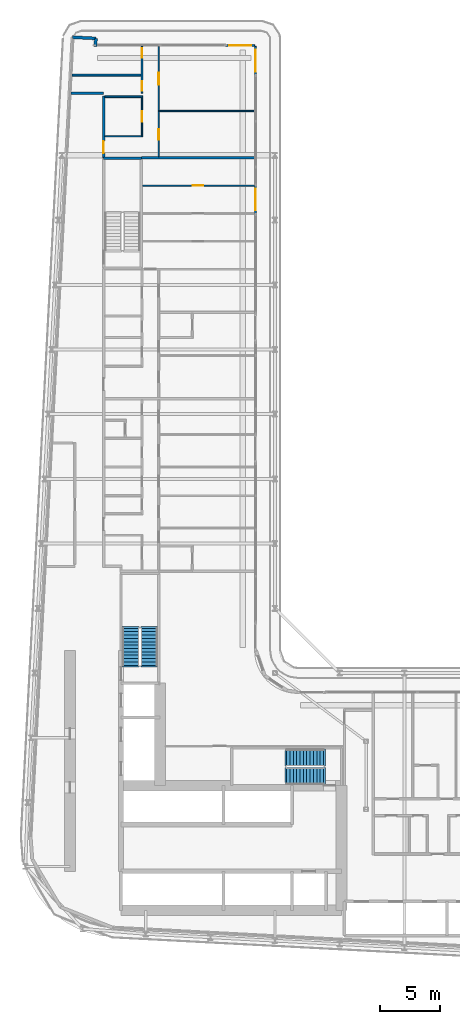
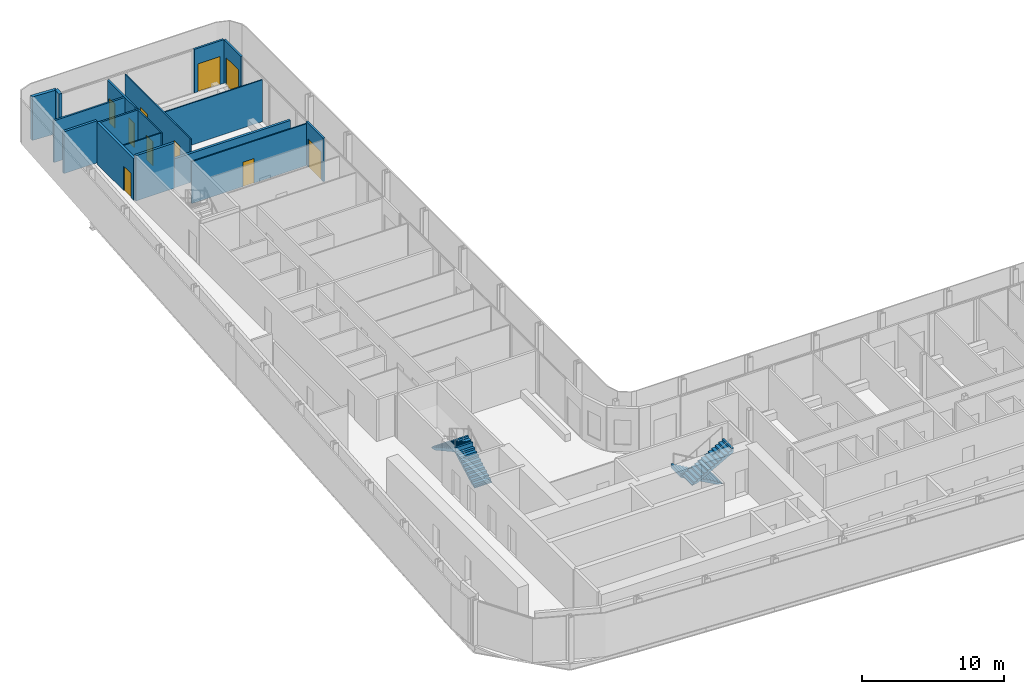
# One storey, part 21 of 29: 17 walls, 10 doors, 4 stair flights, 10 openings, 2 elements without a shape of their own.
"""IFC4 building model written with IfcOpenShell, lengths in metres."""

from ifc_helpers import new_model, si_unit, direction, frame, frame_2d, origin, place, context, subcontext, project, spatial, polyline, rectangle, outline, extrude, source, transform, mapped, material, layer, layer_set, type_object, element, fill, aggregate, save


model = new_model("IFC4")

# Units and contexts
model_context = context("Model", 3, precision=1e-05, world=origin(), true_north=direction((0.0, 1.0)))
body_context = subcontext(model_context, "Body", "Model", "MODEL_VIEW")
ifc_project = project(units=[si_unit("LENGTHUNIT", "METRE"), si_unit("AREAUNIT", "SQUARE_METRE"), si_unit("VOLUMEUNIT", "CUBIC_METRE"), si_unit("PLANEANGLEUNIT", "RADIAN"), si_unit("MASSUNIT", "GRAM", prefix="KILO")], contexts=[model_context])

# Site, building, storey
site_placement = place(None, origin())
site = spatial("IfcSite", under=ifc_project, at=site_placement, CompositionType="ELEMENT")
building_placement = place(site_placement, origin())
building = spatial("IfcBuilding", under=site, at=building_placement, Name="Kheshtan School and Residences Tower", CompositionType="ELEMENT")
storey_placement = place(building_placement, frame((0.0, 0.0, 121.39990234375)))
storey = spatial("IfcBuildingStorey", under=building, at=storey_placement, Name="L28", CompositionType="ELEMENT", Elevation=121.39990234375)

# Wall
ifc_material_1 = material(Name="Gypsum board on steel studs with fire boards", Category="steel")
ifc_layer_1 = layer(ifc_material_1, 0.199951171875)
ifc_layer_set_1 = layer_set([ifc_layer_1], Name="Corridor wall 200")
wall_type_1 = type_object("IfcWallType", Name="Corridor wall 200", PredefinedType="PARTITIONING", material=ifc_layer_set_1)
wall_1_placement = place(storey_placement, frame((30.584716796875, 94.0, 0.0), z_axis=(0.0, 0.0, 1.0), x_axis=(1.0, 0.0, 0.0)))
element("IfcWall", 1, at=wall_1_placement, inside=storey, type_object=wall_type_1, Name="Partition L28-002", PredefinedType="PARTITIONING", context=body_context, shape_type="SweptSolid", body=[
    extrude(rectangle(XDim=2.71533203125, YDim=0.199951171875, at=frame_2d((1.357666015625, 0.0))), origin(), (0.0, 0.0, 1.0), 3.60009765625),
])

# Wall, opening, door
wall_2_placement = place(storey_placement, frame((33.300048828125, 88.60009765625, 0.0), z_axis=(0.0, 0.0, 1.0), x_axis=(0.0, 1.0, 0.0)))
wall_2 = element("IfcWall", 2, at=wall_2_placement, inside=storey, type_object=wall_type_1, Name="Partition L28-004", PredefinedType="PARTITIONING", context=body_context, shape_type="SweptSolid", body=[
    extrude(rectangle(XDim=5.1748046875, YDim=0.199951171875, at=frame_2d((2.58740234375, 0.0))), origin(), (0.0, 0.0, 1.0), 3.60009765625),
])
opening_1_placement = place(wall_2_placement, frame((0.39990234375, 0.0, 0.0)))
opening_1 = element("IfcOpeningElement", 3, at=opening_1_placement, cuts=wall_2, Name="Opening D27-062", PredefinedType="OPENING", context=body_context, shape_type="SweptSolid", body=[
    extrude(rectangle(XDim=1.0, YDim=2.10009765625, at=frame_2d((0.5, 1.050048828125))), frame((0.0, 0.10986328125, 0.0), z_axis=(0.0, -1.0, 0.0), x_axis=(1.0, 0.0, 0.0)), (0.0, 0.0, 1.0), 0.219970703125),
])
ifc_material_2 = material(Name="Steel-framed fire-resisting door leaf", Category="steel")
door_type_1 = type_object("IfcDoorType", Name="Fire door FD30S 1000 x 2100", OperationType="SINGLE_SWING_LEFT", PredefinedType="DOOR", material=ifc_material_2)
shared_shape_1 = source(origin(), body_context, "Body", "SweptSolid", [
    extrude(rectangle(XDim=1.0, YDim=2.10009765625, at=frame_2d((0.5, 1.050048828125))), frame((0.0, 0.02490234375, 0.0), z_axis=(0.0, -1.0, 0.0), x_axis=(1.0, 0.0, 0.0)), (0.0, 0.0, 1.0), 0.050048828125),
])
door_1_placement = place(opening_1_placement, origin())
door_1 = element("IfcDoor", 4, at=door_1_placement, inside=storey, type_object=door_type_1, Name="Door D27-062", OperationType="SINGLE_SWING_LEFT", OverallHeight=2.10009765625, OverallWidth=1.0, PredefinedType="DOOR", context=body_context, shape_type="MappedRepresentation", body=[
    mapped(shared_shape_1, transform((0.0, 0.0, 0.0), x_axis=(1.0, 0.0, 0.0), y_axis=(0.0, 1.0, 0.0), z_axis=(0.0, 0.0, 1.0), scale=1.0)),
])
fill(opening_1, door_1)

# Walls
ifc_material_3 = material(Name="Concrete C40/50 with ceramic cladding and mineral wool insulation", Category="concrete")
ifc_layer_2 = layer(ifc_material_3, 0.25)
ifc_layer_set_2 = layer_set([ifc_layer_2], Name="External wall 250 ceramic clad")
wall_type_2 = type_object("IfcWallType", Name="External wall 250 ceramic clad", PredefinedType="SOLIDWALL", material=ifc_layer_set_2)
wall_3_placement = place(storey_placement, frame((30.705078125, 98.6640625, 0.0), z_axis=(0.0, 0.0, 1.0), x_axis=(0.998577785791, -0.053314216913, 0.0)))
element("IfcWall", 5, at=wall_3_placement, inside=storey, type_object=wall_type_2, Name="External wall L28 5", PredefinedType="SOLIDWALL", context=body_context, shape_type="SweptSolid", body=[
    extrude(rectangle(XDim=1.95068359375, YDim=0.25, at=frame_2d((0.975341796875, 0.0))), origin(), (0.0, 0.0, 1.0), 3.75),
])
wall_4_placement = place(storey_placement, frame((32.653076171875, 98.56005859375, 0.0), z_axis=(0.0, 0.0, 1.0), x_axis=(-0.054093451632, -0.998535877418, 0.0)))
element("IfcWall", 6, at=wall_4_placement, inside=storey, type_object=wall_type_2, Name="External wall L28 6", PredefinedType="SOLIDWALL", context=body_context, shape_type="SweptSolid", body=[
    extrude(rectangle(XDim=0.66796875, YDim=0.25, at=frame_2d((0.333984375, 0.0))), origin(), (0.0, 0.0, 1.0), 3.75),
])

# Wall, opening, door
ifc_material_4 = material(Name="Aluminium frame wall with insulated infill", Category="aluminium")
ifc_layer_3 = layer(ifc_material_4, 0.14990234375)
ifc_layer_set_3 = layer_set([ifc_layer_3], Name="Glazing frame wall 150")
wall_type_3 = type_object("IfcWallType", Name="Glazing frame wall 150", PredefinedType="SOLIDWALL", material=ifc_layer_set_3)
wall_5_placement = place(storey_placement, frame((43.5, 97.97509765625, 0.0), z_axis=(0.0, 0.0, 1.0), x_axis=(1.0, 0.0, 0.0)))
wall_5 = element("IfcWall", 7, at=wall_5_placement, inside=storey, type_object=wall_type_3, Name="Balcony door wall L28 7.1", PredefinedType="SOLIDWALL", context=body_context, shape_type="SweptSolid", body=[
    extrude(rectangle(XDim=2.39990234375, YDim=0.14990234375, at=frame_2d((1.199951171875, 0.0))), origin(), (0.0, 0.0, 1.0), 3.75),
])
opening_2_placement = place(wall_5_placement, frame((0.300048828125, 0.0, 0.0)))
opening_2 = element("IfcOpeningElement", 8, at=opening_2_placement, cuts=wall_5, Name="Opening BD", PredefinedType="OPENING", context=body_context, shape_type="SweptSolid", body=[
    extrude(rectangle(XDim=1.800048828125, YDim=2.39990234375, at=frame_2d((0.89990234375, 1.199951171875))), frame((0.0, 0.0849609375, 0.0), z_axis=(0.0, -1.0, 0.0), x_axis=(1.0, 0.0, 0.0)), (0.0, 0.0, 1.0), 0.169921875),
])
ifc_material_5 = material(Name="Clear low-e glass in thermally broken aluminium frame", Category="aluminium")
door_type_2 = type_object("IfcDoorType", Name="Balcony sliding door", OperationType="SLIDING_TO_LEFT", PredefinedType="DOOR", material=ifc_material_5)
shared_shape_2 = source(origin(), body_context, "Body", "SweptSolid", [
    extrude(rectangle(XDim=1.800048828125, YDim=2.39990234375, at=frame_2d((0.89990234375, 1.199951171875))), frame((0.0, 0.02490234375, 0.0), z_axis=(0.0, -1.0, 0.0), x_axis=(1.0, 0.0, 0.0)), (0.0, 0.0, 1.0), 0.050048828125),
])
door_2_placement = place(opening_2_placement, origin())
door_2 = element("IfcDoor", 9, at=door_2_placement, inside=storey, type_object=door_type_2, Name="Balcony door L28 7.1", OperationType="SLIDING_TO_LEFT", OverallHeight=2.39990234375, OverallWidth=1.800048828125, PredefinedType="DOOR", context=body_context, shape_type="MappedRepresentation", body=[
    mapped(shared_shape_2, transform((0.0, 0.0, 0.0), x_axis=(1.0, 0.0, 0.0), y_axis=(0.0, 1.0, 0.0), z_axis=(0.0, 0.0, 1.0), scale=1.0)),
])
fill(opening_2, door_2)

wall_6_placement = place(storey_placement, frame((45.97509765625, 97.89990234375, 0.0), z_axis=(0.0, 0.0, 1.0), x_axis=(0.0, -1.0, 0.0)))
wall_6 = element("IfcWall", 10, at=wall_6_placement, inside=storey, type_object=wall_type_3, Name="Balcony door wall L28 8.1", PredefinedType="SOLIDWALL", context=body_context, shape_type="SweptSolid", body=[
    extrude(rectangle(XDim=2.39990234375, YDim=0.14990234375, at=frame_2d((1.199951171875, 0.0))), origin(), (0.0, 0.0, 1.0), 3.75),
])
opening_3_placement = place(wall_6_placement, frame((0.300048828125, 0.0, 0.0)))
opening_3 = element("IfcOpeningElement", 11, at=opening_3_placement, cuts=wall_6, Name="Opening BD", PredefinedType="OPENING", context=body_context, shape_type="SweptSolid", body=[
    extrude(rectangle(XDim=1.800048828125, YDim=2.39990234375, at=frame_2d((0.89990234375, 1.199951171875))), frame((0.0, 0.0849609375, 0.0), z_axis=(0.0, -1.0, 0.0), x_axis=(1.0, 0.0, 0.0)), (0.0, 0.0, 1.0), 0.169921875),
])
door_3_placement = place(opening_3_placement, origin())
door_3 = element("IfcDoor", 12, at=door_3_placement, inside=storey, type_object=door_type_2, Name="Balcony door L28 8.1", OperationType="SLIDING_TO_LEFT", OverallHeight=2.39990234375, OverallWidth=1.800048828125, PredefinedType="DOOR", context=body_context, shape_type="MappedRepresentation", body=[
    mapped(shared_shape_2, transform((0.0, 0.0, 0.0), x_axis=(1.0, 0.0, 0.0), y_axis=(0.0, 1.0, 0.0), z_axis=(0.0, 0.0, 1.0), scale=1.0)),
])
fill(opening_3, door_3)

wall_7_placement = place(storey_placement, frame((45.97509765625, 86.305908203125, 0.0), z_axis=(0.0, 0.0, 1.0), x_axis=(0.0, -1.0, 0.0)))
wall_7 = element("IfcWall", 13, at=wall_7_placement, inside=storey, type_object=wall_type_3, Name="Balcony door wall L28 8.2", PredefinedType="SOLIDWALL", context=body_context, shape_type="SweptSolid", body=[
    extrude(rectangle(XDim=2.39990234375, YDim=0.14990234375, at=frame_2d((1.199951171875, 0.0))), origin(), (0.0, 0.0, 1.0), 3.75),
])
opening_4_placement = place(wall_7_placement, frame((0.300048828125, 0.0, 0.0)))
opening_4 = element("IfcOpeningElement", 14, at=opening_4_placement, cuts=wall_7, Name="Opening BD", PredefinedType="OPENING", context=body_context, shape_type="SweptSolid", body=[
    extrude(rectangle(XDim=1.800048828125, YDim=2.39990234375, at=frame_2d((0.89990234375, 1.199951171875))), frame((0.0, 0.0849609375, 0.0), z_axis=(0.0, -1.0, 0.0), x_axis=(1.0, 0.0, 0.0)), (0.0, 0.0, 1.0), 0.169921875),
])
door_4_placement = place(opening_4_placement, origin())
door_4 = element("IfcDoor", 15, at=door_4_placement, inside=storey, type_object=door_type_2, Name="Balcony door L28 8.2", OperationType="SLIDING_TO_LEFT", OverallHeight=2.39990234375, OverallWidth=1.800048828125, PredefinedType="DOOR", context=body_context, shape_type="MappedRepresentation", body=[
    mapped(shared_shape_2, transform((0.0, 0.0, 0.0), x_axis=(1.0, 0.0, 0.0), y_axis=(0.0, 1.0, 0.0), z_axis=(0.0, 0.0, 1.0), scale=1.0)),
])
fill(opening_4, door_4)

# Wall
ifc_material_6 = material(Name="Gypsum board on steel studs", Category="steel")
ifc_layer_4 = layer(ifc_material_6, 0.10009765625)
ifc_layer_set_4 = layer_set([ifc_layer_4], Name="Gypsum partition 100")
wall_type_4 = type_object("IfcWallType", Name="Gypsum partition 100", PredefinedType="PARTITIONING", material=ifc_layer_set_4)
wall_8_placement = place(storey_placement, frame((33.39990234375, 90.39990234375, 0.0), z_axis=(0.0, 0.0, 1.0), x_axis=(1.0, 0.0, 0.0)))
element("IfcWall", 16, at=wall_8_placement, inside=storey, type_object=wall_type_4, Name="Partition L28-017", PredefinedType="PARTITIONING", context=body_context, shape_type="SweptSolid", body=[
    extrude(rectangle(XDim=3.050048828125, YDim=0.10009765625, at=frame_2d((1.52490234375, 0.0))), origin(), (0.0, 0.0, 1.0), 3.60009765625),
])

# Wall, opening, door
wall_9_placement = place(storey_placement, frame((36.5, 90.35009765625, 0.0), z_axis=(0.0, 0.0, 1.0), x_axis=(0.0, 1.0, 0.0)))
wall_9 = element("IfcWall", 17, at=wall_9_placement, inside=storey, type_object=wall_type_4, Name="Partition L28-026", PredefinedType="PARTITIONING", context=body_context, shape_type="SweptSolid", body=[
    extrude(rectangle(XDim=3.27490234375, YDim=0.10009765625, at=frame_2d((1.637451171875, 0.0))), origin(), (0.0, 0.0, 1.0), 3.60009765625),
])
opening_5_placement = place(wall_9_placement, frame((1.25, 0.0, 0.0)))
opening_5 = element("IfcOpeningElement", 18, at=opening_5_placement, cuts=wall_9, Name="Opening D27-063", PredefinedType="OPENING", context=body_context, shape_type="SweptSolid", body=[
    extrude(rectangle(XDim=0.89990234375, YDim=2.10009765625, at=frame_2d((0.449951171875, 1.050048828125))), frame((0.0, 0.06005859375, 0.0), z_axis=(0.0, -1.0, 0.0), x_axis=(1.0, 0.0, 0.0)), (0.0, 0.0, 1.0), 0.1201171875),
])
ifc_material_7 = material(Name="Veneered timber door leaf", Category="wood")
door_type_3 = type_object("IfcDoorType", Name="Door 900 x 2100", OperationType="SINGLE_SWING_LEFT", PredefinedType="DOOR", material=ifc_material_7)
shared_shape_3 = source(origin(), body_context, "Body", "SweptSolid", [
    extrude(rectangle(XDim=0.89990234375, YDim=2.10009765625, at=frame_2d((0.449951171875, 1.050048828125))), frame((0.0, 0.02490234375, 0.0), z_axis=(0.0, -1.0, 0.0), x_axis=(1.0, 0.0, 0.0)), (0.0, 0.0, 1.0), 0.050048828125),
])
door_5_placement = place(opening_5_placement, origin())
door_5 = element("IfcDoor", 19, at=door_5_placement, inside=storey, type_object=door_type_3, Name="Door D27-063", OperationType="SINGLE_SWING_RIGHT", OverallHeight=2.10009765625, OverallWidth=0.89990234375, PredefinedType="DOOR", context=body_context, shape_type="MappedRepresentation", body=[
    mapped(shared_shape_3, transform((0.0, 0.0, 0.0), x_axis=(1.0, 0.0, 0.0), y_axis=(0.0, 1.0, 0.0), z_axis=(0.0, 0.0, 1.0), scale=1.0)),
])
fill(opening_5, door_5)

wall_10_placement = place(storey_placement, frame((36.549072265625, 86.27490234375, 0.0), z_axis=(0.0, 0.0, 1.0), x_axis=(1.0, 0.0, 0.0)))
wall_10 = element("IfcWall", 20, at=wall_10_placement, inside=storey, type_object=wall_type_4, Name="Partition L28-030", PredefinedType="PARTITIONING", context=body_context, shape_type="SweptSolid", body=[
    extrude(rectangle(XDim=9.350830078125, YDim=0.10009765625, at=frame_2d((4.67529296875, 0.0))), origin(), (0.0, 0.0, 1.0), 3.60009765625),
])
opening_6_placement = place(wall_10_placement, frame((4.176025390625, 0.0, 0.0)))
opening_6 = element("IfcOpeningElement", 21, at=opening_6_placement, cuts=wall_10, Name="Opening D27-059", PredefinedType="OPENING", context=body_context, shape_type="SweptSolid", body=[
    extrude(rectangle(XDim=0.89990234375, YDim=2.10009765625, at=frame_2d((0.449951171875, 1.050048828125))), frame((0.0, 0.06005859375, 0.0), z_axis=(0.0, -1.0, 0.0), x_axis=(1.0, 0.0, 0.0)), (0.0, 0.0, 1.0), 0.1201171875),
])
door_6_placement = place(opening_6_placement, origin())
door_6 = element("IfcDoor", 22, at=door_6_placement, inside=storey, type_object=door_type_3, Name="Door D27-059", OperationType="SINGLE_SWING_RIGHT", OverallHeight=2.10009765625, OverallWidth=0.89990234375, PredefinedType="DOOR", context=body_context, shape_type="MappedRepresentation", body=[
    mapped(shared_shape_3, transform((0.0, 0.0, 0.0), x_axis=(1.0, 0.0, 0.0), y_axis=(0.0, 1.0, 0.0), z_axis=(0.0, 0.0, 1.0), scale=1.0)),
])
fill(opening_6, door_6)

# Wall, openings, doors
wall_11_placement = place(storey_placement, frame((37.89990234375, 88.699951171875, 0.0), z_axis=(0.0, 0.0, 1.0), x_axis=(0.0, 1.0, 0.0)))
wall_11 = element("IfcWall", 23, at=wall_11_placement, inside=storey, type_object=wall_type_4, Name="Partition L28-034", PredefinedType="PARTITIONING", context=body_context, shape_type="SweptSolid", body=[
    extrude(rectangle(XDim=9.199951171875, YDim=0.10009765625, at=frame_2d((4.60009765625, 0.0))), origin(), (0.0, 0.0, 1.0), 3.60009765625),
])
opening_7_placement = place(wall_11_placement, frame((1.39990234375, 0.0, 0.0)))
opening_7 = element("IfcOpeningElement", 24, at=opening_7_placement, cuts=wall_11, Name="Opening D27-061", PredefinedType="OPENING", context=body_context, shape_type="SweptSolid", body=[
    extrude(rectangle(XDim=0.89990234375, YDim=2.10009765625, at=frame_2d((0.449951171875, 1.050048828125))), frame((0.0, 0.06005859375, 0.0), z_axis=(0.0, -1.0, 0.0), x_axis=(1.0, 0.0, 0.0)), (0.0, 0.0, 1.0), 0.1201171875),
])
opening_8_placement = place(wall_11_placement, frame((6.0, 0.0, 0.0)))
opening_8 = element("IfcOpeningElement", 25, at=opening_8_placement, cuts=wall_11, Name="Opening D27-064", PredefinedType="OPENING", context=body_context, shape_type="SweptSolid", body=[
    extrude(rectangle(XDim=1.0, YDim=2.10009765625, at=frame_2d((0.5, 1.050048828125))), frame((0.0, 0.06005859375, 0.0), z_axis=(0.0, -1.0, 0.0), x_axis=(1.0, 0.0, 0.0)), (0.0, 0.0, 1.0), 0.1201171875),
])
door_type_4 = type_object("IfcDoorType", Name="Door 1000 x 2100", OperationType="SINGLE_SWING_LEFT", PredefinedType="DOOR", material=ifc_material_7)
shared_shape_4 = source(origin(), body_context, "Body", "SweptSolid", [
    extrude(rectangle(XDim=1.0, YDim=2.10009765625, at=frame_2d((0.5, 1.050048828125))), frame((0.0, 0.02490234375, 0.0), z_axis=(0.0, -1.0, 0.0), x_axis=(1.0, 0.0, 0.0)), (0.0, 0.0, 1.0), 0.050048828125),
])
door_7_placement = place(opening_8_placement, origin())
door_7 = element("IfcDoor", 26, at=door_7_placement, inside=storey, type_object=door_type_4, Name="Door D27-064", OperationType="SINGLE_SWING_RIGHT", OverallHeight=2.10009765625, OverallWidth=1.0, PredefinedType="DOOR", context=body_context, shape_type="MappedRepresentation", body=[
    mapped(shared_shape_4, transform((0.0, 0.0, 0.0), x_axis=(1.0, 0.0, 0.0), y_axis=(0.0, 1.0, 0.0), z_axis=(0.0, 0.0, 1.0), scale=1.0)),
])
fill(opening_8, door_7)
door_8_placement = place(opening_7_placement, origin())
door_8 = element("IfcDoor", 27, at=door_8_placement, inside=storey, type_object=door_type_3, Name="Door D27-061", OperationType="SINGLE_SWING_LEFT", OverallHeight=2.10009765625, OverallWidth=0.89990234375, PredefinedType="DOOR", context=body_context, shape_type="MappedRepresentation", body=[
    mapped(shared_shape_3, transform((0.0, 0.0, 0.0), x_axis=(1.0, 0.0, 0.0), y_axis=(0.0, 1.0, 0.0), z_axis=(0.0, 0.0, 1.0), scale=1.0)),
])
fill(opening_7, door_8)

# Walls
wall_12_placement = place(storey_placement, frame((37.949951171875, 92.5, 0.0), z_axis=(0.0, 0.0, 1.0), x_axis=(1.0, 0.0, 0.0)))
element("IfcWall", 28, at=wall_12_placement, inside=storey, type_object=wall_type_4, Name="Partition L28-035", PredefinedType="PARTITIONING", context=body_context, shape_type="SweptSolid", body=[
    extrude(rectangle(XDim=7.949951171875, YDim=0.10009765625, at=frame_2d((3.97509765625, 0.0))), origin(), (0.0, 0.0, 1.0), 3.60009765625),
])
ifc_material_8 = material(Name="Concrete C40/50", Category="concrete")
ifc_layer_5 = layer(ifc_material_8, 0.199951171875)
ifc_layer_set_5 = layer_set([ifc_layer_5], Name="Stair enclosure wall 200 Concrete C40/50")
wall_type_5 = type_object("IfcWallType", Name="Stair enclosure wall 200 Concrete C40/50", PredefinedType="SHEAR", material=ifc_layer_set_5)
wall_13_placement = place(storey_placement, frame((33.300048828125, 88.56005859375, 0.0), z_axis=(0.0, 0.0, 1.0), x_axis=(1.0, 0.0, 0.0)))
element("IfcWall", 29, at=wall_13_placement, inside=storey, type_object=wall_type_5, Name="Stair enclosure wall ST3", PredefinedType="SHEAR", context=body_context, shape_type="SweptSolid", body=[
    extrude(rectangle(XDim=3.14990234375, YDim=0.199951171875, at=frame_2d((1.574951171875, 0.0))), origin(), (0.0, 0.0, 1.0), 3.900146484375),
])
ifc_material_9 = material(Name="Twin gypsum board on steel studs with mineral wool", Category="steel")
ifc_layer_6 = layer(ifc_material_9, 0.199951171875)
ifc_layer_set_6 = layer_set([ifc_layer_6], Name="Unit demising wall 200")
wall_type_6 = type_object("IfcWallType", Name="Unit demising wall 200", PredefinedType="PARTITIONING", material=ifc_layer_set_6)
wall_14_placement = place(storey_placement, frame((36.449951171875, 88.60009765625, 0.0), z_axis=(0.0, 0.0, 1.0), x_axis=(1.0, 0.0, 0.0)))
element("IfcWall", 30, at=wall_14_placement, inside=storey, type_object=wall_type_6, Name="Partition L28-025", PredefinedType="PARTITIONING", context=body_context, shape_type="SweptSolid", body=[
    extrude(rectangle(XDim=9.449951171875, YDim=0.199951171875, at=frame_2d((4.72509765625, 0.0))), origin(), (0.0, 0.0, 1.0), 2.5),
])
ifc_material_10 = material(Name="Moisture-resistant gypsum board on steel studs", Category="steel")
ifc_layer_7 = layer(ifc_material_10, 0.14990234375)
ifc_layer_set_7 = layer_set([ifc_layer_7], Name="Wet-room partition 150")
wall_type_7 = type_object("IfcWallType", Name="Wet-room partition 150", PredefinedType="PARTITIONING", material=ifc_layer_set_7)
wall_15_placement = place(storey_placement, frame((30.6640625, 95.5, 0.0), z_axis=(0.0, 0.0, 1.0), x_axis=(1.0, 0.0, 0.0)))
element("IfcWall", 31, at=wall_15_placement, inside=storey, type_object=wall_type_7, Name="Partition L28-001", PredefinedType="PARTITIONING", context=body_context, shape_type="SweptSolid", body=[
    extrude(rectangle(XDim=5.760986328125, YDim=0.14990234375, at=frame_2d((2.88037109375, 0.0))), origin(), (0.0, 0.0, 1.0), 3.60009765625),
])
wall_16_placement = place(storey_placement, frame((33.39990234375, 93.699951171875, 0.0), z_axis=(0.0, 0.0, 1.0), x_axis=(1.0, 0.0, 0.0)))
element("IfcWall", 32, at=wall_16_placement, inside=storey, type_object=wall_type_7, Name="Partition L28-018", PredefinedType="PARTITIONING", context=body_context, shape_type="SweptSolid", body=[
    extrude(rectangle(XDim=3.150146484375, YDim=0.14990234375, at=frame_2d((1.5751953125, 0.0))), origin(), (0.0, 0.0, 1.0), 3.60009765625),
])

# Wall, openings, doors
wall_17_placement = place(storey_placement, frame((36.5, 94.0, 0.0), z_axis=(0.0, 0.0, 1.0), x_axis=(0.0, 1.0, 0.0)))
wall_17 = element("IfcWall", 33, at=wall_17_placement, inside=storey, type_object=wall_type_7, Name="Partition L28-027", PredefinedType="PARTITIONING", context=body_context, shape_type="SweptSolid", body=[
    extrude(rectangle(XDim=3.89990234375, YDim=0.14990234375, at=frame_2d((1.949951171875, 0.0))), origin(), (0.0, 0.0, 1.0), 3.60009765625),
])
opening_9_placement = place(wall_17_placement, frame((2.949951171875, 0.0, 0.0)))
opening_9 = element("IfcOpeningElement", 34, at=opening_9_placement, cuts=wall_17, Name="Opening D27-060", PredefinedType="OPENING", context=body_context, shape_type="SweptSolid", body=[
    extrude(rectangle(XDim=0.800048828125, YDim=2.10009765625, at=frame_2d((0.39990234375, 1.050048828125))), frame((0.0, 0.0849609375, 0.0), z_axis=(0.0, -1.0, 0.0), x_axis=(1.0, 0.0, 0.0)), (0.0, 0.0, 1.0), 0.169921875),
])
opening_10_placement = place(wall_17_placement, frame((0.199951171875, 0.0, 0.0)))
opening_10 = element("IfcOpeningElement", 35, at=opening_10_placement, cuts=wall_17, Name="Opening D27-065", PredefinedType="OPENING", context=body_context, shape_type="SweptSolid", body=[
    extrude(rectangle(XDim=0.800048828125, YDim=2.10009765625, at=frame_2d((0.39990234375, 1.050048828125))), frame((0.0, 0.0849609375, 0.0), z_axis=(0.0, -1.0, 0.0), x_axis=(1.0, 0.0, 0.0)), (0.0, 0.0, 1.0), 0.169921875),
])
door_type_5 = type_object("IfcDoorType", Name="Door 800 x 2100", OperationType="SINGLE_SWING_LEFT", PredefinedType="DOOR", material=ifc_material_7)
shared_shape_5 = source(origin(), body_context, "Body", "SweptSolid", [
    extrude(rectangle(XDim=0.800048828125, YDim=2.10009765625, at=frame_2d((0.39990234375, 1.050048828125))), frame((0.0, 0.02490234375, 0.0), z_axis=(0.0, -1.0, 0.0), x_axis=(1.0, 0.0, 0.0)), (0.0, 0.0, 1.0), 0.050048828125),
])
door_9_placement = place(opening_9_placement, origin())
door_9 = element("IfcDoor", 36, at=door_9_placement, inside=storey, type_object=door_type_5, Name="Door D27-060", OperationType="SINGLE_SWING_LEFT", OverallHeight=2.10009765625, OverallWidth=0.800048828125, PredefinedType="DOOR", context=body_context, shape_type="MappedRepresentation", body=[
    mapped(shared_shape_5, transform((0.0, 0.0, 0.0), x_axis=(1.0, 0.0, 0.0), y_axis=(0.0, 1.0, 0.0), z_axis=(0.0, 0.0, 1.0), scale=1.0)),
])
fill(opening_9, door_9)
door_10_placement = place(opening_10_placement, origin())
door_10 = element("IfcDoor", 37, at=door_10_placement, inside=storey, type_object=door_type_5, Name="Door D27-065", OperationType="SINGLE_SWING_RIGHT", OverallHeight=2.10009765625, OverallWidth=0.800048828125, PredefinedType="DOOR", context=body_context, shape_type="MappedRepresentation", body=[
    mapped(shared_shape_5, transform((0.0, 0.0, 0.0), x_axis=(1.0, 0.0, 0.0), y_axis=(0.0, 1.0, 0.0), z_axis=(0.0, 0.0, 1.0), scale=1.0)),
])
fill(opening_10, door_10)

# Stair, stair flights
stair_type = type_object("IfcStairType", Name="Exit stair, half-turn", PredefinedType="HALF_TURN_STAIR", material=ifc_material_8)
stair_1_placement = place(storey_placement, origin())
stair_1 = element("IfcStair", 38, at=stair_1_placement, inside=storey, type_object=stair_type, Name="L28 Protected Exit Stair ST1", PredefinedType="HALF_TURN_STAIR")
ifc_layer_8 = layer(ifc_material_8, 0.14990234375)
ifc_layer_set_8 = layer_set([ifc_layer_8], Name="Stair flight 1400 Concrete C40/50")
stair_flight_type = type_object("IfcStairFlightType", Name="Stair flight 1400 Concrete C40/50", PredefinedType="STRAIGHT", material=ifc_layer_set_8)
stair_flight_1_placement = place(storey_placement, frame((51.64990234375, 38.550048828125, 0.0), z_axis=(0.0, 0.0, 1.0), x_axis=(-1.0, 0.0, 0.0)))
stair_flight_1 = element("IfcStairFlight", 39, at=stair_flight_1_placement, type_object=stair_flight_type, Name="ST1 flight 1", NumberOfRisers=12, NumberOfTreads=11, PredefinedType="STRAIGHT", RiserHeight=0.1625, TreadLength=0.28, context=body_context, shape_type="SweptSolid", body=[
    extrude(outline(polyline([(-0.14990234375, -0.10009765625), (-0.14990234375, 0.0), (0.0, 0.0), (0.0, 0.16259765625), (0.280029296875, 0.16259765625), (0.280029296875, 0.324951171875), (0.56005859375, 0.324951171875), (0.56005859375, 0.487548828125), (0.840087890625, 0.487548828125), (0.840087890625, 0.64990234375), (1.1201171875, 0.64990234375), (1.1201171875, 0.8125), (1.39990234375, 0.8125), (1.39990234375, 0.97509765625), (1.679931640625, 0.97509765625), (1.679931640625, 1.137451171875), (1.9599609375, 1.137451171875), (1.9599609375, 1.300048828125), (2.239990234375, 1.300048828125), (2.239990234375, 1.46240234375), (2.52001953125, 1.46240234375), (2.52001953125, 1.625), (2.800048828125, 1.625), (2.800048828125, 1.78759765625), (3.080078125, 1.78759765625), (3.080078125, 1.949951171875), (3.080078125, 1.969970703125), (3.22998046875, 1.969970703125), (3.22998046875, 1.6142578125), (0.298583984375, 0.0), (-0.14990234375, -0.10009765625)])), frame((0.0, 0.699951171875, 0.0), z_axis=(0.0, -1.0, 0.0), x_axis=(1.0, 0.0, 0.0)), (0.0, 0.0, 1.0), 1.39990234375),
])
stair_flight_2_placement = place(storey_placement, frame((48.570068359375, 37.0, 1.9501953125), z_axis=(0.0, 0.0, 1.0), x_axis=(1.0, 0.0, 0.0)))
stair_flight_2 = element("IfcStairFlight", 40, at=stair_flight_2_placement, type_object=stair_flight_type, Name="ST1 flight 2", NumberOfRisers=12, NumberOfTreads=11, PredefinedType="STRAIGHT", RiserHeight=0.1625, TreadLength=0.28, context=body_context, shape_type="SweptSolid", body=[
    extrude(outline(polyline([(-0.14990234375, -0.10009765625), (-0.14990234375, 0.0), (0.0, 0.0), (0.0, 0.16259765625), (0.280029296875, 0.16259765625), (0.280029296875, 0.324951171875), (0.56005859375, 0.324951171875), (0.56005859375, 0.487548828125), (0.840087890625, 0.487548828125), (0.840087890625, 0.64990234375), (1.1201171875, 0.64990234375), (1.1201171875, 0.8125), (1.39990234375, 0.8125), (1.39990234375, 0.97509765625), (1.679931640625, 0.97509765625), (1.679931640625, 1.137451171875), (1.9599609375, 1.137451171875), (1.9599609375, 1.300048828125), (2.239990234375, 1.300048828125), (2.239990234375, 1.46240234375), (2.52001953125, 1.46240234375), (2.52001953125, 1.625), (2.800048828125, 1.625), (2.800048828125, 1.78759765625), (3.080078125, 1.78759765625), (3.080078125, 1.949951171875), (3.080078125, 1.969970703125), (3.22998046875, 1.969970703125), (3.22998046875, 1.6142578125), (0.298583984375, 0.0), (-0.14990234375, -0.10009765625)])), frame((0.0, 0.699951171875, 0.0), z_axis=(0.0, -1.0, 0.0), x_axis=(1.0, 0.0, 0.0)), (0.0, 0.0, 1.0), 1.39990234375),
])
aggregate(stair_1, [stair_flight_1, stair_flight_2])

stair_2_placement = place(storey_placement, origin())
stair_2 = element("IfcStair", 41, at=stair_2_placement, inside=storey, type_object=stair_type, Name="L28 Protected Exit Stair ST2", PredefinedType="HALF_TURN_STAIR")
stair_flight_3_placement = place(storey_placement, frame((37.10009765625, 46.25, 0.0), z_axis=(0.0, 0.0, 1.0), x_axis=(0.0, 1.0, 0.0)))
stair_flight_3 = element("IfcStairFlight", 42, at=stair_flight_3_placement, type_object=stair_flight_type, Name="ST2 flight 1", NumberOfRisers=12, NumberOfTreads=11, PredefinedType="STRAIGHT", RiserHeight=0.1625, TreadLength=0.28, context=body_context, shape_type="SweptSolid", body=[
    extrude(outline(polyline([(-0.14990234375, -0.10009765625), (-0.14990234375, 0.0), (0.0, 0.0), (0.0, 0.16259765625), (0.280029296875, 0.16259765625), (0.280029296875, 0.324951171875), (0.56005859375, 0.324951171875), (0.56005859375, 0.487548828125), (0.840087890625, 0.487548828125), (0.840087890625, 0.64990234375), (1.1201171875, 0.64990234375), (1.1201171875, 0.8125), (1.39990234375, 0.8125), (1.39990234375, 0.97509765625), (1.679931640625, 0.97509765625), (1.679931640625, 1.137451171875), (1.9599609375, 1.137451171875), (1.9599609375, 1.300048828125), (2.239990234375, 1.300048828125), (2.239990234375, 1.46240234375), (2.52001953125, 1.46240234375), (2.52001953125, 1.625), (2.800048828125, 1.625), (2.800048828125, 1.78759765625), (3.080078125, 1.78759765625), (3.080078125, 1.949951171875), (3.080078125, 1.969970703125), (3.22998046875, 1.969970703125), (3.22998046875, 1.6142578125), (0.298583984375, 0.0), (-0.14990234375, -0.10009765625)])), frame((0.0, 0.699951171875, 0.0), z_axis=(0.0, -1.0, 0.0), x_axis=(1.0, 0.0, 0.0)), (0.0, 0.0, 1.0), 1.39990234375),
])
stair_flight_4_placement = place(storey_placement, frame((35.550048828125, 49.330078125, 1.9501953125), z_axis=(0.0, 0.0, 1.0), x_axis=(0.0, -1.0, 0.0)))
stair_flight_4 = element("IfcStairFlight", 43, at=stair_flight_4_placement, type_object=stair_flight_type, Name="ST2 flight 2", NumberOfRisers=12, NumberOfTreads=11, PredefinedType="STRAIGHT", RiserHeight=0.1625, TreadLength=0.28, context=body_context, shape_type="SweptSolid", body=[
    extrude(outline(polyline([(-0.14990234375, -0.10009765625), (-0.14990234375, 0.0), (0.0, 0.0), (0.0, 0.16259765625), (0.280029296875, 0.16259765625), (0.280029296875, 0.324951171875), (0.56005859375, 0.324951171875), (0.56005859375, 0.487548828125), (0.840087890625, 0.487548828125), (0.840087890625, 0.64990234375), (1.1201171875, 0.64990234375), (1.1201171875, 0.8125), (1.39990234375, 0.8125), (1.39990234375, 0.97509765625), (1.679931640625, 0.97509765625), (1.679931640625, 1.137451171875), (1.9599609375, 1.137451171875), (1.9599609375, 1.300048828125), (2.239990234375, 1.300048828125), (2.239990234375, 1.46240234375), (2.52001953125, 1.46240234375), (2.52001953125, 1.625), (2.800048828125, 1.625), (2.800048828125, 1.78759765625), (3.080078125, 1.78759765625), (3.080078125, 1.949951171875), (3.080078125, 1.969970703125), (3.22998046875, 1.969970703125), (3.22998046875, 1.6142578125), (0.298583984375, 0.0), (-0.14990234375, -0.10009765625)])), frame((0.0, 0.699951171875, 0.0), z_axis=(0.0, -1.0, 0.0), x_axis=(1.0, 0.0, 0.0)), (0.0, 0.0, 1.0), 1.39990234375),
])
aggregate(stair_2, [stair_flight_3, stair_flight_4])

save(model, "model.ifc")
